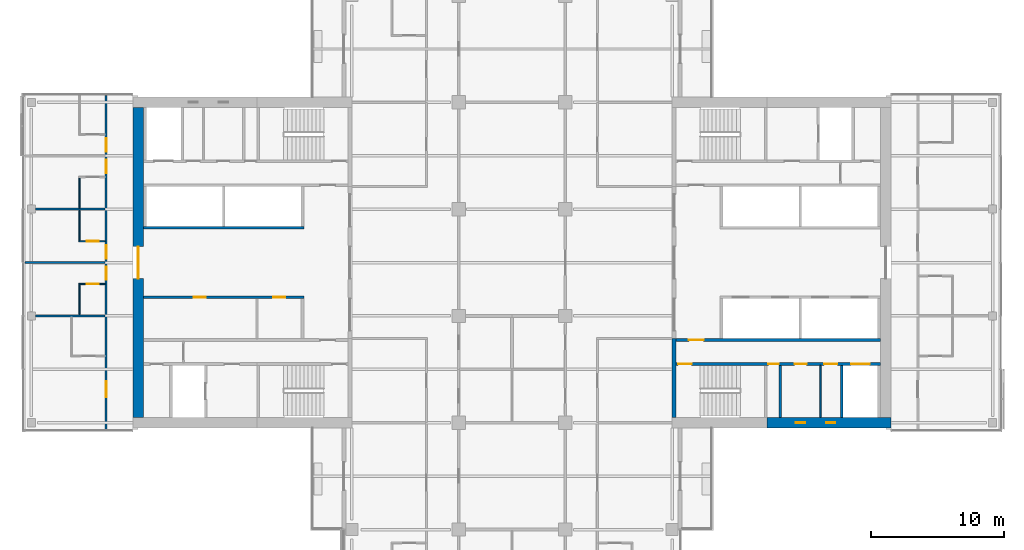
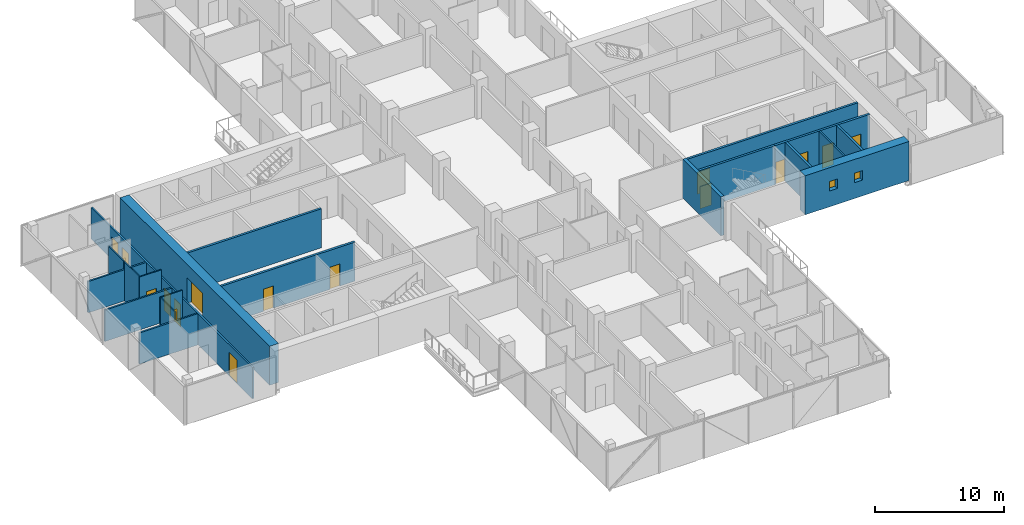
# One storey, part 16 of 25: 20 walls, 16 doors, 2 windows, 18 openings.
"""IFC4 building model written with IfcOpenShell, lengths in metres."""

from ifc_helpers import new_model, si_unit, direction, frame, frame_2d, origin, place, context, subcontext, project, spatial, rectangle, extrude, material, layer, layer_set, constituent, constituent_set, type_object, element, fill, save


model = new_model("IFC4")

# Units and contexts
model_context = context("Model", 3, precision=1e-05, world=origin(), true_north=direction((0.0, 1.0)))
body_context = subcontext(model_context, "Body", "Model", "MODEL_VIEW")
ifc_project = project(units=[si_unit("LENGTHUNIT", "METRE"), si_unit("AREAUNIT", "SQUARE_METRE"), si_unit("VOLUMEUNIT", "CUBIC_METRE"), si_unit("PLANEANGLEUNIT", "RADIAN"), si_unit("MASSUNIT", "GRAM", prefix="KILO")], contexts=[model_context])

# Site, building, storey
site_placement = place(None, origin())
site = spatial("IfcSite", under=ifc_project, at=site_placement, CompositionType="ELEMENT")
building_placement = place(site_placement, origin())
building = spatial("IfcBuilding", under=site, at=building_placement, Name="Crosswind Convention Tower", CompositionType="ELEMENT")
storey_placement = place(building_placement, frame((0.0, 0.0, 97.89990234375)))
storey = spatial("IfcBuildingStorey", under=building, at=storey_placement, Name="L19", CompositionType="ELEMENT", Elevation=97.89990234375)

# Wall
ifc_material_1 = material(Name="Concrete blockwork", Category="masonry")
ifc_layer_1 = layer(ifc_material_1, 0.199951171875)
ifc_layer_set_1 = layer_set([ifc_layer_1], Name="Blockwork partition wall 200")
wall_type_1 = type_object("IfcWallType", Name="Blockwork partition wall 200", PredefinedType="PARTITIONING", material=ifc_layer_set_1)
wall_1_placement = place(storey_placement, frame((145.10009765625, 88.39990234375, 0.0), z_axis=(0.0, 0.0, 1.0), x_axis=(0.0, 1.0, 0.0)))
element("IfcWall", 1, at=wall_1_placement, inside=storey, type_object=wall_type_1, Name="Wall MRSE E L19", PredefinedType="PARTITIONING", context=body_context, shape_type="SweptSolid", body=[
    extrude(rectangle(XDim=3.900146484375, YDim=0.199951171875, at=frame_2d((1.9501953125, 0.0))), origin(), (0.0, 0.0, 1.0), 3.7001953125),
])

# Wall, opening, door
ifc_material_2 = material(Name="Concrete C60/75", Category="concrete")
ifc_layer_2 = layer(ifc_material_2, 0.800048828125)
ifc_layer_set_2 = layer_set([ifc_layer_2], Name="Concrete C60/75")
wall_type_2 = type_object("IfcWallType", Name="Concrete core wall 800", PredefinedType="SHEAR", material=ifc_layer_set_2)
wall_2_placement = place(storey_placement, frame((97.0, 111.60009765625, 0.0), z_axis=(0.0, 0.0, 1.0), x_axis=(0.0, -1.0, 0.0)))
wall_2 = element("IfcWall", 2, at=wall_2_placement, inside=storey, type_object=wall_type_2, Name="Wall O W L19", PredefinedType="SHEAR", context=body_context, shape_type="SweptSolid", body=[
    extrude(rectangle(XDim=23.2001953125, YDim=0.800048828125, at=frame_2d((11.60009765625, 0.0))), origin(), (0.0, 0.0, 1.0), 3.7001953125),
])
opening_1_placement = place(wall_2_placement, frame((10.39990234375, 0.0, 0.0)))
opening_1 = element("IfcOpeningElement", 3, at=opening_1_placement, cuts=wall_2, Name="Opening D100", PredefinedType="OPENING", context=body_context, shape_type="SweptSolid", body=[
    extrude(rectangle(XDim=2.39990234375, YDim=2.39990234375, at=frame_2d((1.199951171875, 1.199951171875))), frame((0.0, 0.409912109375, 0.0), z_axis=(0.0, -1.0, 0.0), x_axis=(1.0, 0.0, 0.0)), (0.0, 0.0, 1.0), 0.820068359375),
])
ifc_material_3 = material(Name="Steel fire door with glazed vision panels", Category="steel")
door_type_1 = type_object("IfcDoorType", Name="Fire-rated double door 2400x2400", OperationType="DOUBLE_DOOR_SINGLE_SWING", PredefinedType="DOOR", material=ifc_material_3)
door_1_placement = place(opening_1_placement, origin())
door_1 = element("IfcDoor", 4, at=door_1_placement, inside=storey, type_object=door_type_1, Name="Lobby outer door L19", ObjectType="D100", OperationType="DOUBLE_DOOR_SINGLE_SWING", OverallHeight=2.39990234375, OverallWidth=2.39990234375, PredefinedType="DOOR", context=body_context, shape_type="SweptSolid", body=[
    extrude(rectangle(XDim=2.39990234375, YDim=2.39990234375, at=frame_2d((1.199951171875, 1.199951171875))), frame((0.0, 0.02490234375, 0.0), z_axis=(0.0, -1.0, 0.0), x_axis=(1.0, 0.0, 0.0)), (0.0, 0.0, 1.0), 0.050048828125),
])
fill(opening_1, door_1)

# Wall
ifc_material_4 = material(Name="Concrete C50/60", Category="concrete")
ifc_layer_3 = layer(ifc_material_4, 0.300048828125)
ifc_layer_set_3 = layer_set([ifc_layer_3], Name="Concrete C50/60")
wall_type_3 = type_object("IfcWallType", Name="Concrete inner core wall 300", PredefinedType="SHEAR", material=ifc_layer_set_3)
wall_3_placement = place(storey_placement, frame((137.14990234375, 88.39990234375, 0.0), z_axis=(0.0, 0.0, 1.0), x_axis=(0.0, 1.0, 0.0)))
element("IfcWall", 5, at=wall_3_placement, inside=storey, type_object=wall_type_3, Name="Wall EM E L19", PredefinedType="SHEAR", context=body_context, shape_type="SweptSolid", body=[
    extrude(rectangle(XDim=5.900146484375, YDim=0.300048828125, at=frame_2d((2.9501953125, 0.0))), origin(), (0.0, 0.0, 1.0), 3.7001953125),
])

# Wall, opening, door
ifc_layer_4 = layer(ifc_material_4, 0.199951171875)
ifc_layer_set_4 = layer_set([ifc_layer_4], Name="Concrete C50/60")
wall_type_4 = type_object("IfcWallType", Name="Concrete shaft and stair wall 200", PredefinedType="SHEAR", material=ifc_layer_set_4)
wall_4_placement = place(storey_placement, frame((137.300048828125, 94.199951171875, 0.0), z_axis=(0.0, 0.0, 1.0), x_axis=(1.0, 0.0, 0.0)))
wall_4 = element("IfcWall", 6, at=wall_4_placement, inside=storey, type_object=wall_type_4, Name="Wall HM E L19", PredefinedType="SHEAR", context=body_context, shape_type="SweptSolid", body=[
    extrude(rectangle(XDim=15.300048828125, YDim=0.199951171875, at=frame_2d((7.64990234375, 0.0))), origin(), (0.0, 0.0, 1.0), 3.7001953125),
])
opening_2_placement = place(wall_4_placement, frame((0.949951171875, 0.0, 0.0)))
opening_2 = element("IfcOpeningElement", 7, at=opening_2_placement, cuts=wall_4, Name="Opening D104", PredefinedType="OPENING", context=body_context, shape_type="SweptSolid", body=[
    extrude(rectangle(XDim=1.10009765625, YDim=2.10009765625, at=frame_2d((0.550048828125, 1.050048828125))), frame((0.0, 0.10986328125, 0.0), z_axis=(0.0, -1.0, 0.0), x_axis=(1.0, 0.0, 0.0)), (0.0, 0.0, 1.0), 0.219970703125),
])
ifc_material_5 = material(Name="Steel fire door", Category="steel")
door_type_2 = type_object("IfcDoorType", Name="Fire-rated single door 1100x2100", OperationType="NOTDEFINED", PredefinedType="DOOR", material=ifc_material_5)
door_2_placement = place(opening_2_placement, origin())
door_2 = element("IfcDoor", 8, at=door_2_placement, inside=storey, type_object=door_type_2, Name="Corridor door L19", ObjectType="D104", OperationType="SINGLE_SWING_LEFT", OverallHeight=2.10009765625, OverallWidth=1.10009765625, PredefinedType="DOOR", context=body_context, shape_type="SweptSolid", body=[
    extrude(rectangle(XDim=1.10009765625, YDim=2.10009765625, at=frame_2d((0.550048828125, 1.050048828125))), frame((0.0, 0.02490234375, 0.0), z_axis=(0.0, -1.0, 0.0), x_axis=(1.0, 0.0, 0.0)), (0.0, 0.0, 1.0), 0.050048828125),
])
fill(opening_2, door_2)

# Wall
wall_5_placement = place(storey_placement, frame((149.699951171875, 88.39990234375, 0.0), z_axis=(0.0, 0.0, 1.0), x_axis=(0.0, 1.0, 0.0)))
element("IfcWall", 9, at=wall_5_placement, inside=storey, type_object=wall_type_4, Name="Wall MFSW E L19", PredefinedType="SHEAR", context=body_context, shape_type="SweptSolid", body=[
    extrude(rectangle(XDim=3.900146484375, YDim=0.199951171875, at=frame_2d((1.9501953125, 0.0))), origin(), (0.0, 0.0, 1.0), 3.7001953125),
])

# Wall, opening, door
wall_6_placement = place(storey_placement, frame((137.300048828125, 92.39990234375, 0.0), z_axis=(0.0, 0.0, 1.0), x_axis=(1.0, 0.0, 0.0)))
wall_6 = element("IfcWall", 10, at=wall_6_placement, inside=storey, type_object=wall_type_4, Name="Wall MCW E L19", PredefinedType="SHEAR", context=body_context, shape_type="SweptSolid", body=[
    extrude(rectangle(XDim=6.800048828125, YDim=0.199951171875, at=frame_2d((3.39990234375, 0.0))), origin(), (0.0, 0.0, 1.0), 3.7001953125),
])
opening_3_placement = place(wall_6_placement, frame((0.14990234375, 0.0, 0.0)))
opening_3 = element("IfcOpeningElement", 11, at=opening_3_placement, cuts=wall_6, Name="Opening D103", PredefinedType="OPENING", context=body_context, shape_type="SweptSolid", body=[
    extrude(rectangle(XDim=1.0, YDim=2.10009765625, at=frame_2d((0.5, 1.050048828125))), frame((0.0, 0.10986328125, 0.0), z_axis=(0.0, -1.0, 0.0), x_axis=(1.0, 0.0, 0.0)), (0.0, 0.0, 1.0), 0.219970703125),
])
door_type_3 = type_object("IfcDoorType", Name="Fire-rated single door 1000x2100", OperationType="NOTDEFINED", PredefinedType="DOOR", material=ifc_material_5)
door_3_placement = place(opening_3_placement, frame((1.0, 0.0, 0.0), z_axis=(0.0, 0.0, 1.0), x_axis=(-1.0, 0.0, 0.0)))
door_3 = element("IfcDoor", 12, at=door_3_placement, inside=storey, type_object=door_type_3, Name="Stair ST2 door L19", ObjectType="D103", OperationType="SINGLE_SWING_RIGHT", OverallHeight=2.10009765625, OverallWidth=1.0, PredefinedType="DOOR", context=body_context, shape_type="SweptSolid", body=[
    extrude(rectangle(XDim=1.0, YDim=2.10009765625, at=frame_2d((0.5, 1.050048828125))), frame((0.0, 0.02490234375, 0.0), z_axis=(0.0, -1.0, 0.0), x_axis=(1.0, 0.0, 0.0)), (0.0, 0.0, 1.0), 0.050048828125),
])
fill(opening_3, door_3)

# Wall, openings, doors
wall_7_placement = place(storey_placement, frame((144.10009765625, 92.39990234375, 0.0), z_axis=(0.0, 0.0, 1.0), x_axis=(1.0, 0.0, 0.0)))
wall_7 = element("IfcWall", 13, at=wall_7_placement, inside=storey, type_object=wall_type_4, Name="Wall MCX E L19", PredefinedType="SHEAR", context=body_context, shape_type="SweptSolid", body=[
    extrude(rectangle(XDim=8.5, YDim=0.199951171875, at=frame_2d((4.25, 0.0))), origin(), (0.0, 0.0, 1.0), 3.7001953125),
])
opening_4_placement = place(wall_7_placement, frame((0.10009765625, 0.0, 0.0)))
opening_4 = element("IfcOpeningElement", 14, at=opening_4_placement, cuts=wall_7, Name="Opening D105", PredefinedType="OPENING", context=body_context, shape_type="SweptSolid", body=[
    extrude(rectangle(XDim=0.800048828125, YDim=2.10009765625, at=frame_2d((0.39990234375, 1.050048828125))), frame((0.0, 0.10986328125, 0.0), z_axis=(0.0, -1.0, 0.0), x_axis=(1.0, 0.0, 0.0)), (0.0, 0.0, 1.0), 0.219970703125),
])
opening_5_placement = place(wall_7_placement, frame((2.07080078125, 0.0, 0.0)))
opening_5 = element("IfcOpeningElement", 15, at=opening_5_placement, cuts=wall_7, Name="Opening D106", PredefinedType="OPENING", context=body_context, shape_type="SweptSolid", body=[
    extrude(rectangle(XDim=0.89990234375, YDim=2.10009765625, at=frame_2d((0.449951171875, 1.050048828125))), frame((0.0, 0.10986328125, 0.0), z_axis=(0.0, -1.0, 0.0), x_axis=(1.0, 0.0, 0.0)), (0.0, 0.0, 1.0), 0.219970703125),
])
opening_6_placement = place(wall_7_placement, frame((4.283203125, 0.0, 0.0)))
opening_6 = element("IfcOpeningElement", 16, at=opening_6_placement, cuts=wall_7, Name="Opening D103", PredefinedType="OPENING", context=body_context, shape_type="SweptSolid", body=[
    extrude(rectangle(XDim=1.0, YDim=2.10009765625, at=frame_2d((0.5, 1.050048828125))), frame((0.0, 0.10986328125, 0.0), z_axis=(0.0, -1.0, 0.0), x_axis=(1.0, 0.0, 0.0)), (0.0, 0.0, 1.0), 0.219970703125),
])
opening_7_placement = place(wall_7_placement, frame((6.300048828125, 0.0, 0.0)))
opening_7 = element("IfcOpeningElement", 17, at=opening_7_placement, cuts=wall_7, Name="Opening LD2", PredefinedType="OPENING", context=body_context, shape_type="SweptSolid", body=[
    extrude(rectangle(XDim=1.39990234375, YDim=2.10009765625, at=frame_2d((0.699951171875, 1.050048828125))), frame((0.0, 0.10986328125, 0.0), z_axis=(0.0, -1.0, 0.0), x_axis=(1.0, 0.0, 0.0)), (0.0, 0.0, 1.0), 0.219970703125),
])
door_4_placement = place(opening_6_placement, frame((1.0, 0.0, 0.0), z_axis=(0.0, 0.0, 1.0), x_axis=(-1.0, 0.0, 0.0)))
door_4 = element("IfcDoor", 18, at=door_4_placement, inside=storey, type_object=door_type_3, Name="Door to accessible wc L19", ObjectType="D103", OperationType="SINGLE_SWING_LEFT", OverallHeight=2.10009765625, OverallWidth=1.0, PredefinedType="DOOR", context=body_context, shape_type="SweptSolid", body=[
    extrude(rectangle(XDim=1.0, YDim=2.10009765625, at=frame_2d((0.5, 1.050048828125))), frame((0.0, 0.02490234375, 0.0), z_axis=(0.0, -1.0, 0.0), x_axis=(1.0, 0.0, 0.0)), (0.0, 0.0, 1.0), 0.050048828125),
])
fill(opening_6, door_4)
ifc_material_6 = material(Name="Stainless steel", Category="steel")
door_type_4 = type_object("IfcDoorType", Name="Lift landing door 1400x2100", OperationType="DOUBLE_DOOR_SLIDING", PredefinedType="DOOR", material=ifc_material_6)
door_5_placement = place(opening_7_placement, origin())
door_5 = element("IfcDoor", 19, at=door_5_placement, inside=storey, type_object=door_type_4, Name="Landing door SV1 L19", ObjectType="LD2", OperationType="DOUBLE_DOOR_SLIDING", OverallHeight=2.10009765625, OverallWidth=1.39990234375, PredefinedType="DOOR", context=body_context, shape_type="SweptSolid", body=[
    extrude(rectangle(XDim=1.39990234375, YDim=2.10009765625, at=frame_2d((0.699951171875, 1.050048828125))), frame((0.0, 0.02490234375, 0.0), z_axis=(0.0, -1.0, 0.0), x_axis=(1.0, 0.0, 0.0)), (0.0, 0.0, 1.0), 0.050048828125),
])
fill(opening_7, door_5)
door_type_5 = type_object("IfcDoorType", Name="Riser access door 800x2100", OperationType="NOTDEFINED", PredefinedType="DOOR", material=ifc_material_5)
door_6_placement = place(opening_4_placement, frame((0.800048828125, 0.0, 0.0), z_axis=(0.0, 0.0, 1.0), x_axis=(-1.0, 0.0, 0.0)))
door_6 = element("IfcDoor", 20, at=door_6_placement, inside=storey, type_object=door_type_5, Name="Riser door L19", ObjectType="D105", OperationType="SINGLE_SWING_LEFT", OverallHeight=2.10009765625, OverallWidth=0.800048828125, PredefinedType="DOOR", context=body_context, shape_type="SweptSolid", body=[
    extrude(rectangle(XDim=0.800048828125, YDim=2.10009765625, at=frame_2d((0.39990234375, 1.050048828125))), frame((0.0, 0.02490234375, 0.0), z_axis=(0.0, -1.0, 0.0), x_axis=(1.0, 0.0, 0.0)), (0.0, 0.0, 1.0), 0.050048828125),
])
fill(opening_4, door_6)
ifc_material_7 = material(Name="Timber door", Category="wood")
door_type_6 = type_object("IfcDoorType", Name="Single leaf door 900x2100", OperationType="NOTDEFINED", PredefinedType="DOOR", material=ifc_material_7)
door_7_placement = place(opening_5_placement, frame((0.89990234375, 0.0, 0.0), z_axis=(0.0, 0.0, 1.0), x_axis=(-1.0, 0.0, 0.0)))
door_7 = element("IfcDoor", 21, at=door_7_placement, inside=storey, type_object=door_type_6, Name="Door to wc L19", ObjectType="D106", OperationType="SINGLE_SWING_LEFT", OverallHeight=2.10009765625, OverallWidth=0.89990234375, PredefinedType="DOOR", context=body_context, shape_type="SweptSolid", body=[
    extrude(rectangle(XDim=0.89990234375, YDim=2.10009765625, at=frame_2d((0.449951171875, 1.050048828125))), frame((0.0, 0.02490234375, 0.0), z_axis=(0.0, -1.0, 0.0), x_axis=(1.0, 0.0, 0.0)), (0.0, 0.0, 1.0), 0.050048828125),
])
fill(opening_5, door_7)

wall_8_placement = place(storey_placement, frame((109.39990234375, 97.39990234375, 0.0), z_axis=(0.0, 0.0, 1.0), x_axis=(-1.0, 0.0, 0.0)))
wall_8 = element("IfcWall", 22, at=wall_8_placement, inside=storey, type_object=wall_type_4, Name="Wall RPFRONT W L19", PredefinedType="SHEAR", context=body_context, shape_type="SweptSolid", body=[
    extrude(rectangle(XDim=12.0, YDim=0.199951171875, at=frame_2d((6.0, 0.0))), origin(), (0.0, 0.0, 1.0), 3.7001953125),
])
opening_8_placement = place(wall_8_placement, frame((1.370849609375, 0.0, 0.0)))
opening_8 = element("IfcOpeningElement", 23, at=opening_8_placement, cuts=wall_8, Name="Opening D106", PredefinedType="OPENING", context=body_context, shape_type="SweptSolid", body=[
    extrude(rectangle(XDim=0.89990234375, YDim=2.10009765625, at=frame_2d((0.449951171875, 1.050048828125))), frame((0.0, 0.10986328125, 0.0), z_axis=(0.0, -1.0, 0.0), x_axis=(1.0, 0.0, 0.0)), (0.0, 0.0, 1.0), 0.219970703125),
])
opening_9_placement = place(wall_8_placement, frame((7.333251953125, 0.0, 0.0)))
opening_9 = element("IfcOpeningElement", 24, at=opening_9_placement, cuts=wall_8, Name="Opening D106", PredefinedType="OPENING", context=body_context, shape_type="SweptSolid", body=[
    extrude(rectangle(XDim=0.89990234375, YDim=2.10009765625, at=frame_2d((0.449951171875, 1.050048828125))), frame((0.0, 0.10986328125, 0.0), z_axis=(0.0, -1.0, 0.0), x_axis=(1.0, 0.0, 0.0)), (0.0, 0.0, 1.0), 0.219970703125),
])
door_8_placement = place(opening_8_placement, origin())
door_8 = element("IfcDoor", 25, at=door_8_placement, inside=storey, type_object=door_type_6, Name="Door to housekeeping store L19", ObjectType="D106", OperationType="SINGLE_SWING_RIGHT", OverallHeight=2.10009765625, OverallWidth=0.89990234375, PredefinedType="DOOR", context=body_context, shape_type="SweptSolid", body=[
    extrude(rectangle(XDim=0.89990234375, YDim=2.10009765625, at=frame_2d((0.449951171875, 1.050048828125))), frame((0.0, 0.02490234375, 0.0), z_axis=(0.0, -1.0, 0.0), x_axis=(1.0, 0.0, 0.0)), (0.0, 0.0, 1.0), 0.050048828125),
])
fill(opening_8, door_8)
door_9_placement = place(opening_9_placement, origin())
door_9 = element("IfcDoor", 26, at=door_9_placement, inside=storey, type_object=door_type_6, Name="Door to linen store L19", ObjectType="D106", OperationType="SINGLE_SWING_RIGHT", OverallHeight=2.10009765625, OverallWidth=0.89990234375, PredefinedType="DOOR", context=body_context, shape_type="SweptSolid", body=[
    extrude(rectangle(XDim=0.89990234375, YDim=2.10009765625, at=frame_2d((0.449951171875, 1.050048828125))), frame((0.0, 0.02490234375, 0.0), z_axis=(0.0, -1.0, 0.0), x_axis=(1.0, 0.0, 0.0)), (0.0, 0.0, 1.0), 0.050048828125),
])
fill(opening_9, door_9)

# Walls
wall_9_placement = place(storey_placement, frame((109.39990234375, 102.60009765625, 0.0), z_axis=(0.0, 0.0, 1.0), x_axis=(-1.0, 0.0, 0.0)))
element("IfcWall", 27, at=wall_9_placement, inside=storey, type_object=wall_type_4, Name="Wall RMFRONT W L19", PredefinedType="SHEAR", context=body_context, shape_type="SweptSolid", body=[
    extrude(rectangle(XDim=12.0, YDim=0.199951171875, at=frame_2d((6.0, 0.0))), origin(), (0.0, 0.0, 1.0), 3.7001953125),
])
ifc_material_8 = material(Name="Gypsum plasterboard partition", Category="gypsum")
ifc_layer_5 = layer(ifc_material_8, 0.125)
ifc_layer_set_5 = layer_set([ifc_layer_5], Name="Drywall partition wall 125")
wall_type_5 = type_object("IfcWallType", Name="Drywall partition wall 125", PredefinedType="PARTITIONING", material=ifc_layer_set_5)
wall_10_placement = place(storey_placement, frame((148.10400390625, 88.39990234375, 0.0), z_axis=(0.0, 0.0, 1.0), x_axis=(0.0, 1.0, 0.0)))
element("IfcWall", 28, at=wall_10_placement, inside=storey, type_object=wall_type_5, Name="Wall MWP1 E L19", PredefinedType="PARTITIONING", context=body_context, shape_type="SweptSolid", body=[
    extrude(rectangle(XDim=3.900146484375, YDim=0.125, at=frame_2d((1.9501953125, 0.0))), origin(), (0.0, 0.0, 1.0), 3.7001953125),
])
ifc_material_9 = material(Name="Acoustic plasterboard partition", Category="gypsum")
ifc_layer_6 = layer(ifc_material_9, 0.14990234375)
ifc_layer_set_6 = layer_set([ifc_layer_6], Name="GUEST ROOM WALL 150")
wall_type_6 = type_object("IfcWallType", Name="GUEST ROOM WALL 150", PredefinedType="PARTITIONING", material=ifc_layer_set_6)
wall_11_placement = place(storey_placement, frame((89.300048828125, 96.0, 0.0), z_axis=(0.0, 0.0, 1.0), x_axis=(1.0, 0.0, 0.0)))
element("IfcWall", 29, at=wall_11_placement, inside=storey, type_object=wall_type_6, Name="Guest Room Wall 22", PredefinedType="PARTITIONING", context=body_context, shape_type="SweptSolid", body=[
    extrude(rectangle(XDim=5.224853515625, YDim=0.14990234375, at=frame_2d((2.6123046875, 0.0))), origin(), (0.0, 0.0, 1.0), 2.95654296875),
])
wall_12_placement = place(storey_placement, frame((88.5, 100.0, 0.0), z_axis=(0.0, 0.0, 1.0), x_axis=(1.0, 0.0, 0.0)))
element("IfcWall", 30, at=wall_12_placement, inside=storey, type_object=wall_type_6, Name="Guest Room Wall 28", PredefinedType="PARTITIONING", context=body_context, shape_type="SweptSolid", body=[
    extrude(rectangle(XDim=6.02490234375, YDim=0.14990234375, at=frame_2d((3.012451171875, 0.0))), origin(), (0.0, 0.0, 1.0), 2.962890625),
])
wall_13_placement = place(storey_placement, frame((89.300048828125, 104.0, 0.0), z_axis=(0.0, 0.0, 1.0), x_axis=(1.0, 0.0, 0.0)))
element("IfcWall", 31, at=wall_13_placement, inside=storey, type_object=wall_type_6, Name="Guest Room Wall 30", PredefinedType="PARTITIONING", context=body_context, shape_type="SweptSolid", body=[
    extrude(rectangle(XDim=5.224853515625, YDim=0.14990234375, at=frame_2d((2.6123046875, 0.0))), origin(), (0.0, 0.0, 1.0), 2.95654296875),
])

# Wall, openings, doors
wall_14_placement = place(storey_placement, frame((94.60009765625, 87.5, 0.0), z_axis=(0.0, 0.0, 1.0), x_axis=(0.0, 1.0, 0.0)))
wall_14 = element("IfcWall", 32, at=wall_14_placement, inside=storey, type_object=wall_type_6, Name="Guest Room Wall 56", PredefinedType="PARTITIONING", context=body_context, shape_type="SweptSolid", body=[
    extrude(rectangle(XDim=25.0, YDim=0.14990234375, at=frame_2d((12.5, 0.0))), origin(), (0.0, 0.0, 1.0), 2.95654296875),
])
opening_10_placement = place(wall_14_placement, frame((2.39990234375, 0.0, 0.0)))
opening_10 = element("IfcOpeningElement", 33, at=opening_10_placement, cuts=wall_14, Name="Opening 19.033", PredefinedType="OPENING", context=body_context, shape_type="SweptSolid", body=[
    extrude(rectangle(XDim=1.199951171875, YDim=2.199951171875, at=frame_2d((0.60009765625, 1.10009765625))), frame((0.0, 0.0849609375, 0.0), z_axis=(0.0, -1.0, 0.0), x_axis=(1.0, 0.0, 0.0)), (0.0, 0.0, 1.0), 0.169921875),
])
opening_11_placement = place(wall_14_placement, frame((11.199951171875, 0.0, 0.0)))
opening_11 = element("IfcOpeningElement", 34, at=opening_11_placement, cuts=wall_14, Name="Opening 19.035", PredefinedType="OPENING", context=body_context, shape_type="SweptSolid", body=[
    extrude(rectangle(XDim=1.0, YDim=2.10009765625, at=frame_2d((0.5, 1.050048828125))), frame((0.0, 0.0849609375, 0.0), z_axis=(0.0, -1.0, 0.0), x_axis=(1.0, 0.0, 0.0)), (0.0, 0.0, 1.0), 0.169921875),
])
opening_12_placement = place(wall_14_placement, frame((12.800048828125, 0.0, 0.0)))
opening_12 = element("IfcOpeningElement", 35, at=opening_12_placement, cuts=wall_14, Name="Opening 19.037", PredefinedType="OPENING", context=body_context, shape_type="SweptSolid", body=[
    extrude(rectangle(XDim=1.0, YDim=2.10009765625, at=frame_2d((0.5, 1.050048828125))), frame((0.0, 0.0849609375, 0.0), z_axis=(0.0, -1.0, 0.0), x_axis=(1.0, 0.0, 0.0)), (0.0, 0.0, 1.0), 0.169921875),
])
opening_13_placement = place(wall_14_placement, frame((19.199951171875, 0.0, 0.0)))
opening_13 = element("IfcOpeningElement", 36, at=opening_13_placement, cuts=wall_14, Name="Opening 19.039", PredefinedType="OPENING", context=body_context, shape_type="SweptSolid", body=[
    extrude(rectangle(XDim=1.0, YDim=2.10009765625, at=frame_2d((0.5, 1.050048828125))), frame((0.0, 0.0849609375, 0.0), z_axis=(0.0, -1.0, 0.0), x_axis=(1.0, 0.0, 0.0)), (0.0, 0.0, 1.0), 0.169921875),
])
opening_14_placement = place(wall_14_placement, frame((20.800048828125, 0.0, 0.0)))
opening_14 = element("IfcOpeningElement", 37, at=opening_14_placement, cuts=wall_14, Name="Opening 19.041", PredefinedType="OPENING", context=body_context, shape_type="SweptSolid", body=[
    extrude(rectangle(XDim=1.0, YDim=2.10009765625, at=frame_2d((0.5, 1.050048828125))), frame((0.0, 0.0849609375, 0.0), z_axis=(0.0, -1.0, 0.0), x_axis=(1.0, 0.0, 0.0)), (0.0, 0.0, 1.0), 0.169921875),
])
ifc_material_10 = material(Name="Timber fire door", Category="wood")
door_type_7 = type_object("IfcDoorType", Name="GUEST ROOM DOOR 1000X2100", OperationType="NOTDEFINED", PredefinedType="DOOR", material=ifc_material_10)
door_10_placement = place(opening_11_placement, origin())
door_10 = element("IfcDoor", 38, at=door_10_placement, inside=storey, type_object=door_type_7, Name="Door 19.035", ObjectType="D1", OperationType="SINGLE_SWING_RIGHT", OverallHeight=2.10009765625, OverallWidth=1.0, PredefinedType="DOOR", context=body_context, shape_type="SweptSolid", body=[
    extrude(rectangle(XDim=1.0, YDim=2.10009765625, at=frame_2d((0.5, 1.050048828125))), frame((0.0, 0.02490234375, 0.0), z_axis=(0.0, -1.0, 0.0), x_axis=(1.0, 0.0, 0.0)), (0.0, 0.0, 1.0), 0.050048828125),
])
fill(opening_11, door_10)
door_11_placement = place(opening_12_placement, origin())
door_11 = element("IfcDoor", 39, at=door_11_placement, inside=storey, type_object=door_type_7, Name="Door 19.037", ObjectType="D1", OperationType="SINGLE_SWING_RIGHT", OverallHeight=2.10009765625, OverallWidth=1.0, PredefinedType="DOOR", context=body_context, shape_type="SweptSolid", body=[
    extrude(rectangle(XDim=1.0, YDim=2.10009765625, at=frame_2d((0.5, 1.050048828125))), frame((0.0, 0.02490234375, 0.0), z_axis=(0.0, -1.0, 0.0), x_axis=(1.0, 0.0, 0.0)), (0.0, 0.0, 1.0), 0.050048828125),
])
fill(opening_12, door_11)
door_12_placement = place(opening_13_placement, origin())
door_12 = element("IfcDoor", 40, at=door_12_placement, inside=storey, type_object=door_type_7, Name="Door 19.039", ObjectType="D1", OperationType="SINGLE_SWING_RIGHT", OverallHeight=2.10009765625, OverallWidth=1.0, PredefinedType="DOOR", context=body_context, shape_type="SweptSolid", body=[
    extrude(rectangle(XDim=1.0, YDim=2.10009765625, at=frame_2d((0.5, 1.050048828125))), frame((0.0, 0.02490234375, 0.0), z_axis=(0.0, -1.0, 0.0), x_axis=(1.0, 0.0, 0.0)), (0.0, 0.0, 1.0), 0.050048828125),
])
fill(opening_13, door_12)
door_13_placement = place(opening_14_placement, origin())
door_13 = element("IfcDoor", 41, at=door_13_placement, inside=storey, type_object=door_type_7, Name="Door 19.041", ObjectType="D1", OperationType="SINGLE_SWING_RIGHT", OverallHeight=2.10009765625, OverallWidth=1.0, PredefinedType="DOOR", context=body_context, shape_type="SweptSolid", body=[
    extrude(rectangle(XDim=1.0, YDim=2.10009765625, at=frame_2d((0.5, 1.050048828125))), frame((0.0, 0.02490234375, 0.0), z_axis=(0.0, -1.0, 0.0), x_axis=(1.0, 0.0, 0.0)), (0.0, 0.0, 1.0), 0.050048828125),
])
fill(opening_14, door_13)
door_type_8 = type_object("IfcDoorType", Name="SUITE DOOR 1200X2200", OperationType="DOUBLE_DOOR_SINGLE_SWING", PredefinedType="DOOR", material=ifc_material_10)
door_14_placement = place(opening_10_placement, origin())
door_14 = element("IfcDoor", 42, at=door_14_placement, inside=storey, type_object=door_type_8, Name="Door 19.033", ObjectType="D14", OperationType="DOUBLE_DOOR_SINGLE_SWING", OverallHeight=2.199951171875, OverallWidth=1.199951171875, PredefinedType="DOOR", context=body_context, shape_type="SweptSolid", body=[
    extrude(rectangle(XDim=1.199951171875, YDim=2.199951171875, at=frame_2d((0.60009765625, 1.10009765625))), frame((0.0, 0.02490234375, 0.0), z_axis=(0.0, -1.0, 0.0), x_axis=(1.0, 0.0, 0.0)), (0.0, 0.0, 1.0), 0.050048828125),
])
fill(opening_10, door_14)

# Wall, openings, windows
ifc_constituent_1 = constituent(ifc_material_2, Name="Structure")
ifc_material_11 = material(Name="Terracotta rainscreen", Category="ceramic")
ifc_constituent_2 = constituent(ifc_material_11, Name="Facing")
ifc_constituent_set = constituent_set(constituents=[ifc_constituent_1, ifc_constituent_2], Name="Concrete C60/75, Terracotta rainscreen")
wall_type_7 = type_object("IfcWallType", Name="Terracotta rainscreen on concrete core wall 800", PredefinedType="SHEAR", material=ifc_constituent_set)
wall_15_placement = place(storey_placement, frame((144.10009765625, 88.0, 0.0), z_axis=(0.0, 0.0, 1.0), x_axis=(1.0, 0.0, 0.0)))
wall_15 = element("IfcWall", 43, at=wall_15_placement, inside=storey, type_object=wall_type_7, Name="Wall S2 E L19", PredefinedType="SHEAR", context=body_context, shape_type="SweptSolid", body=[
    extrude(rectangle(XDim=9.2998046875, YDim=0.800048828125, at=frame_2d((4.64990234375, 0.0))), origin(), (0.0, 0.0, 1.0), 3.7001953125),
])
opening_15_placement = place(wall_15_placement, frame((2.170654296875, 0.0, 1.5)))
opening_15 = element("IfcOpeningElement", 44, at=opening_15_placement, cuts=wall_15, Name="Opening W2", PredefinedType="OPENING", context=body_context, shape_type="SweptSolid", body=[
    extrude(rectangle(XDim=0.699951171875, YDim=0.89990234375, at=frame_2d((0.35009765625, 0.449951171875))), frame((0.0, 0.409912109375, 0.0), z_axis=(0.0, -1.0, 0.0), x_axis=(1.0, 0.0, 0.0)), (0.0, 0.0, 1.0), 0.820068359375),
])
opening_16_placement = place(wall_15_placement, frame((4.433349609375, 0.0, 1.5)))
opening_16 = element("IfcOpeningElement", 45, at=opening_16_placement, cuts=wall_15, Name="Opening W2", PredefinedType="OPENING", context=body_context, shape_type="SweptSolid", body=[
    extrude(rectangle(XDim=0.699951171875, YDim=0.89990234375, at=frame_2d((0.35009765625, 0.449951171875))), frame((0.0, 0.409912109375, 0.0), z_axis=(0.0, -1.0, 0.0), x_axis=(1.0, 0.0, 0.0)), (0.0, 0.0, 1.0), 0.820068359375),
])
ifc_material_12 = material(Name="Obscure glass in aluminium frame", Category="aluminium")
window_type = type_object("IfcWindowType", Name="WC window 700x900", PartitioningType="SINGLE_PANEL", PredefinedType="WINDOW", material=ifc_material_12)
window_1_placement = place(opening_15_placement, origin())
window_1 = element("IfcWindow", 46, at=window_1_placement, inside=storey, type_object=window_type, Name="WC window L19", ObjectType="W2", OverallHeight=0.89990234375, OverallWidth=0.699951171875, PartitioningType="SINGLE_PANEL", PredefinedType="WINDOW", context=body_context, shape_type="SweptSolid", body=[
    extrude(rectangle(XDim=0.699951171875, YDim=0.89990234375, at=frame_2d((0.35009765625, 0.449951171875))), frame((0.0, 0.030029296875, 0.0), z_axis=(0.0, -1.0, 0.0), x_axis=(1.0, 0.0, 0.0)), (0.0, 0.0, 1.0), 0.06005859375),
])
fill(opening_15, window_1)
window_2_placement = place(opening_16_placement, origin())
window_2 = element("IfcWindow", 47, at=window_2_placement, inside=storey, type_object=window_type, Name="WC window L19", ObjectType="W2", OverallHeight=0.89990234375, OverallWidth=0.699951171875, PartitioningType="SINGLE_PANEL", PredefinedType="WINDOW", context=body_context, shape_type="SweptSolid", body=[
    extrude(rectangle(XDim=0.699951171875, YDim=0.89990234375, at=frame_2d((0.35009765625, 0.449951171875))), frame((0.0, 0.030029296875, 0.0), z_axis=(0.0, -1.0, 0.0), x_axis=(1.0, 0.0, 0.0)), (0.0, 0.0, 1.0), 0.06005859375),
])
fill(opening_16, window_2)

# Wall, opening, door
ifc_material_13 = material(Name="Water-resistant plasterboard partition", Category="gypsum")
ifc_layer_7 = layer(ifc_material_13, 0.10009765625)
ifc_layer_set_7 = layer_set([ifc_layer_7], Name="WET ROOM PARTITION 100")
wall_type_8 = type_object("IfcWallType", Name="WET ROOM PARTITION 100", PredefinedType="PLUMBINGWALL", material=ifc_layer_set_7)
wall_16_placement = place(storey_placement, frame((92.550048828125, 98.39990234375, 0.0), z_axis=(0.0, 0.0, 1.0), x_axis=(1.0, 0.0, 0.0)))
wall_16 = element("IfcWall", 48, at=wall_16_placement, inside=storey, type_object=wall_type_8, Name="Wet Room Partition 26", PredefinedType="PLUMBINGWALL", context=body_context, shape_type="SweptSolid", body=[
    extrude(rectangle(XDim=1.974853515625, YDim=0.10009765625, at=frame_2d((0.9873046875, 0.0))), origin(), (0.0, 0.0, 1.0), 3.7001953125),
])
opening_17_placement = place(wall_16_placement, frame((0.60009765625, 0.0, 0.0)))
opening_17 = element("IfcOpeningElement", 49, at=opening_17_placement, cuts=wall_16, Name="Opening 19.036", PredefinedType="OPENING", context=body_context, shape_type="SweptSolid", body=[
    extrude(rectangle(XDim=0.89990234375, YDim=2.10009765625, at=frame_2d((0.449951171875, 1.050048828125))), frame((0.0, 0.06005859375, 0.0), z_axis=(0.0, -1.0, 0.0), x_axis=(1.0, 0.0, 0.0)), (0.0, 0.0, 1.0), 0.1201171875),
])
door_type_9 = type_object("IfcDoorType", Name="EN-SUITE DOOR 900X2100", OperationType="NOTDEFINED", PredefinedType="DOOR", material=ifc_material_7)
door_15_placement = place(opening_17_placement, frame((0.89990234375, 0.0, 0.0), z_axis=(0.0, 0.0, 1.0), x_axis=(-1.0, 0.0, 0.0)))
door_15 = element("IfcDoor", 50, at=door_15_placement, inside=storey, type_object=door_type_9, Name="Door 19.036", ObjectType="D2", OperationType="SINGLE_SWING_LEFT", OverallHeight=2.10009765625, OverallWidth=0.89990234375, PredefinedType="DOOR", context=body_context, shape_type="SweptSolid", body=[
    extrude(rectangle(XDim=0.89990234375, YDim=2.10009765625, at=frame_2d((0.449951171875, 1.050048828125))), frame((0.0, 0.02490234375, 0.0), z_axis=(0.0, -1.0, 0.0), x_axis=(1.0, 0.0, 0.0)), (0.0, 0.0, 1.0), 0.050048828125),
])
fill(opening_17, door_15)

wall_17_placement = place(storey_placement, frame((92.550048828125, 101.60009765625, 0.0), z_axis=(0.0, 0.0, 1.0), x_axis=(1.0, 0.0, 0.0)))
wall_17 = element("IfcWall", 51, at=wall_17_placement, inside=storey, type_object=wall_type_8, Name="Wet Room Partition 29", PredefinedType="PLUMBINGWALL", context=body_context, shape_type="SweptSolid", body=[
    extrude(rectangle(XDim=1.974853515625, YDim=0.10009765625, at=frame_2d((0.9873046875, 0.0))), origin(), (0.0, 0.0, 1.0), 3.7001953125),
])
opening_18_placement = place(wall_17_placement, frame((0.60009765625, 0.0, 0.0)))
opening_18 = element("IfcOpeningElement", 52, at=opening_18_placement, cuts=wall_17, Name="Opening 19.038", PredefinedType="OPENING", context=body_context, shape_type="SweptSolid", body=[
    extrude(rectangle(XDim=0.89990234375, YDim=2.10009765625, at=frame_2d((0.449951171875, 1.050048828125))), frame((0.0, 0.06005859375, 0.0), z_axis=(0.0, -1.0, 0.0), x_axis=(1.0, 0.0, 0.0)), (0.0, 0.0, 1.0), 0.1201171875),
])
door_16_placement = place(opening_18_placement, origin())
door_16 = element("IfcDoor", 53, at=door_16_placement, inside=storey, type_object=door_type_9, Name="Door 19.038", ObjectType="D2", OperationType="SINGLE_SWING_RIGHT", OverallHeight=2.10009765625, OverallWidth=0.89990234375, PredefinedType="DOOR", context=body_context, shape_type="SweptSolid", body=[
    extrude(rectangle(XDim=0.89990234375, YDim=2.10009765625, at=frame_2d((0.449951171875, 1.050048828125))), frame((0.0, 0.02490234375, 0.0), z_axis=(0.0, -1.0, 0.0), x_axis=(1.0, 0.0, 0.0)), (0.0, 0.0, 1.0), 0.050048828125),
])
fill(opening_18, door_16)

# Walls
for number, where, z_axis, x_axis, name in (
    (54, (92.60009765625, 96.074951171875, 0.0), (0.0, 0.0, 1.0), (0.0, 1.0, 0.0), "Wet Room Partition 52"),
    (55, (92.60009765625, 101.64990234375, 0.0), (0.0, 0.0, 1.0), (0.0, 1.0, 0.0), "Wet Room Partition 53"),
    (56, (92.60009765625, 104.074951171875, 0.0), (0.0, 0.0, 1.0), (0.0, 1.0, 0.0), "Wet Room Partition 54"),
):
    element("IfcWall", number, at=place(storey_placement, frame(where, z_axis=z_axis, x_axis=x_axis)), inside=storey, type_object=wall_type_8, Name=name, PredefinedType="PLUMBINGWALL", context=body_context, shape_type="SweptSolid", body=[
        extrude(rectangle(XDim=2.275146484375, YDim=0.10009765625, at=frame_2d((1.1376953125, 0.0))), origin(), (0.0, 0.0, 1.0), 3.7001953125),
    ])

save(model, "model.ifc")
